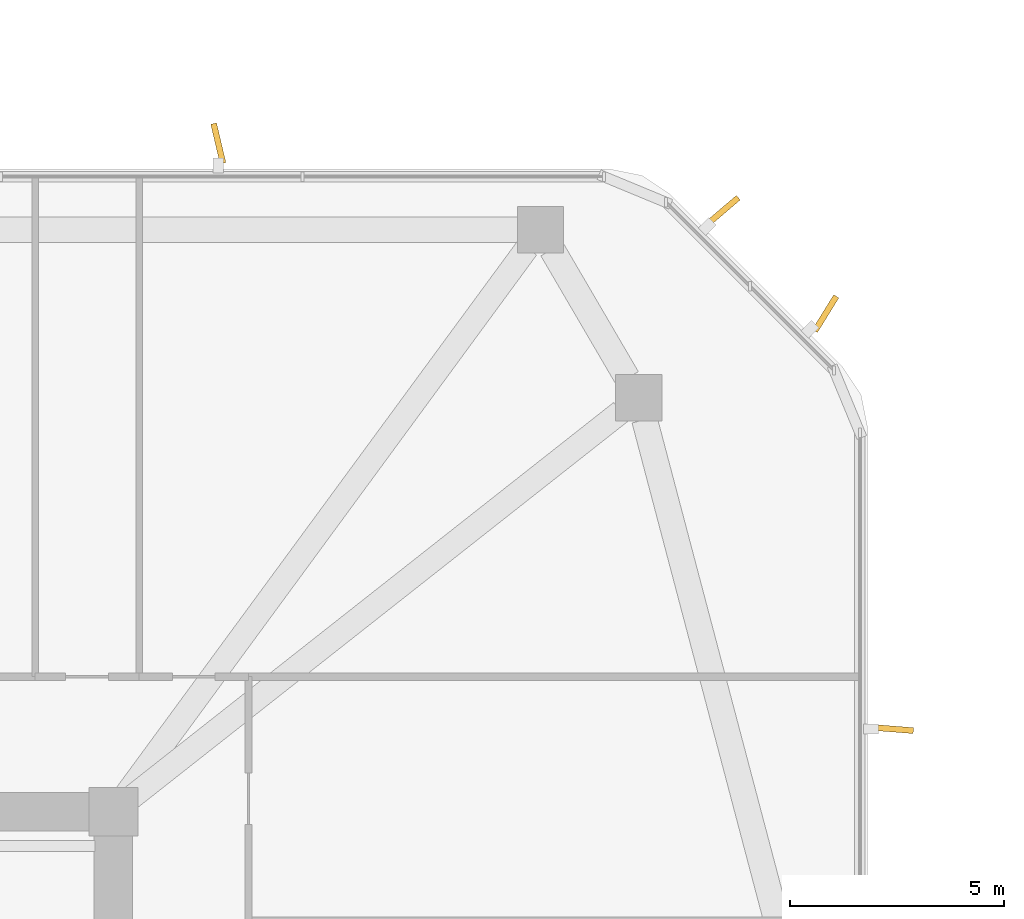
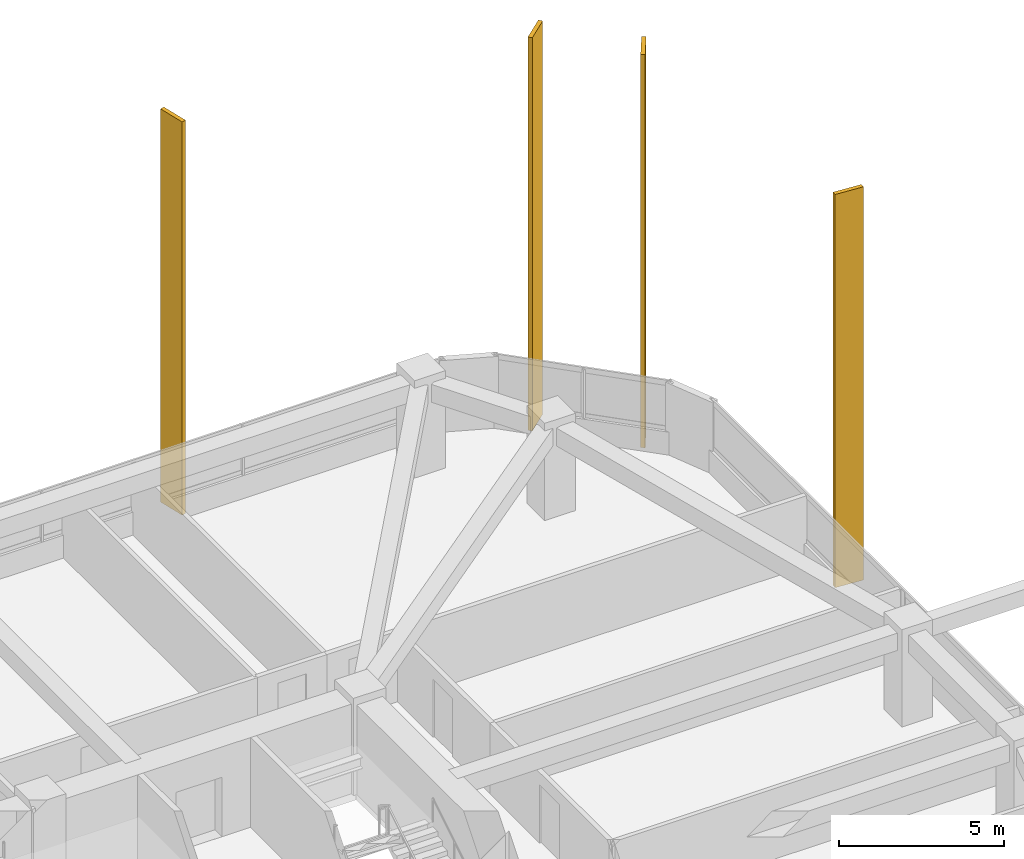
# One storey, part 17 of 17: 4 shading devices.
"""IFC4 building model written with IfcOpenShell, lengths in metres."""

from ifc_helpers import new_model, si_unit, derived_unit, direction, frame, origin, origin_2d, place, context, subcontext, project, spatial, rectangle, extrude, material, type_object, element, save


model = new_model("IFC4")

# Units and contexts
model_context = context("Model", 3, precision=1e-05, world=origin(), true_north=direction((0.0, 1.0)))
body_context = subcontext(model_context, "Body", "Model", "MODEL_VIEW")
ifc_project = project(units=[si_unit("LENGTHUNIT", "METRE"), si_unit("AREAUNIT", "SQUARE_METRE"), si_unit("VOLUMEUNIT", "CUBIC_METRE"), si_unit("PLANEANGLEUNIT", "RADIAN"), si_unit("MASSUNIT", "GRAM", prefix="KILO"), derived_unit("THERMALTRANSMITTANCEUNIT", [(si_unit("POWERUNIT", "WATT"), 1), (si_unit("LENGTHUNIT", "METRE"), -2), (si_unit("THERMODYNAMICTEMPERATUREUNIT", "KELVIN"), -1)])], contexts=[model_context])

# Site, building, storey
site_placement = place(None, origin())
site = spatial("IfcSite", under=ifc_project, at=site_placement, CompositionType="ELEMENT")
building_placement = place(site_placement, origin())
building = spatial("IfcBuilding", under=site, at=building_placement, Name="Koralith Skygarden Medical Center", CompositionType="ELEMENT")
storey_placement = place(building_placement, frame((0.0, 0.0, 38.340087890625)))
storey = spatial("IfcBuildingStorey", under=building, at=storey_placement, Name="L09", CompositionType="ELEMENT", Elevation=38.340087890625)

# Shading devices
ifc_material = material(Name="Aluminium 6063-T6", Category="aluminium")
shading_device_type = type_object("IfcShadingDeviceType", Name="Limestone-Clad Solar Storm Fin 950", PredefinedType="USERDEFINED", material=ifc_material)
for number, where, z_axis, x_axis, name in (
    (1, (66.39501953125, 36.429931640625, -0.2001953125), (0.0, 0.0, 1.0), (0.996914594387, -0.07849389466, 0.0), "L09 E Harmonic Solar Storm Fin 2"),
    (2, (64.820068359375, 46.1220703125, -0.2001953125), (0.0, 0.0, 1.0), (0.526169398592, 0.850379776327, 0.0), "L09 NE Harmonic Solar Storm Fin 1"),
    (3, (62.422119140625, 48.52001953125, -0.2001953125), (0.0, 0.0, 1.0), (0.76042863515, 0.649421504759, 0.0), "L09 NE Harmonic Solar Storm Fin 2"),
    (4, (50.64990234375, 50.094970703125, -0.2001953125), (0.0, 0.0, 1.0), (-0.229251356627, 0.973367256222, 0.0), "L09 N Harmonic Solar Storm Fin 1"),
):
    element("IfcShadingDevice", number, at=place(storey_placement, frame(where, z_axis=z_axis, x_axis=x_axis)), inside=storey, type_object=shading_device_type, Name=name, ObjectType="SOLAR FIN", PredefinedType="USERDEFINED", context=body_context, shape_type="SweptSolid", body=[
        extrude(rectangle(XDim=0.949951171875, YDim=0.139892578125, at=origin_2d()), origin(), (0.0, 0.0, 1.0), 14.550048828125),
    ])

save(model, "model.ifc")
